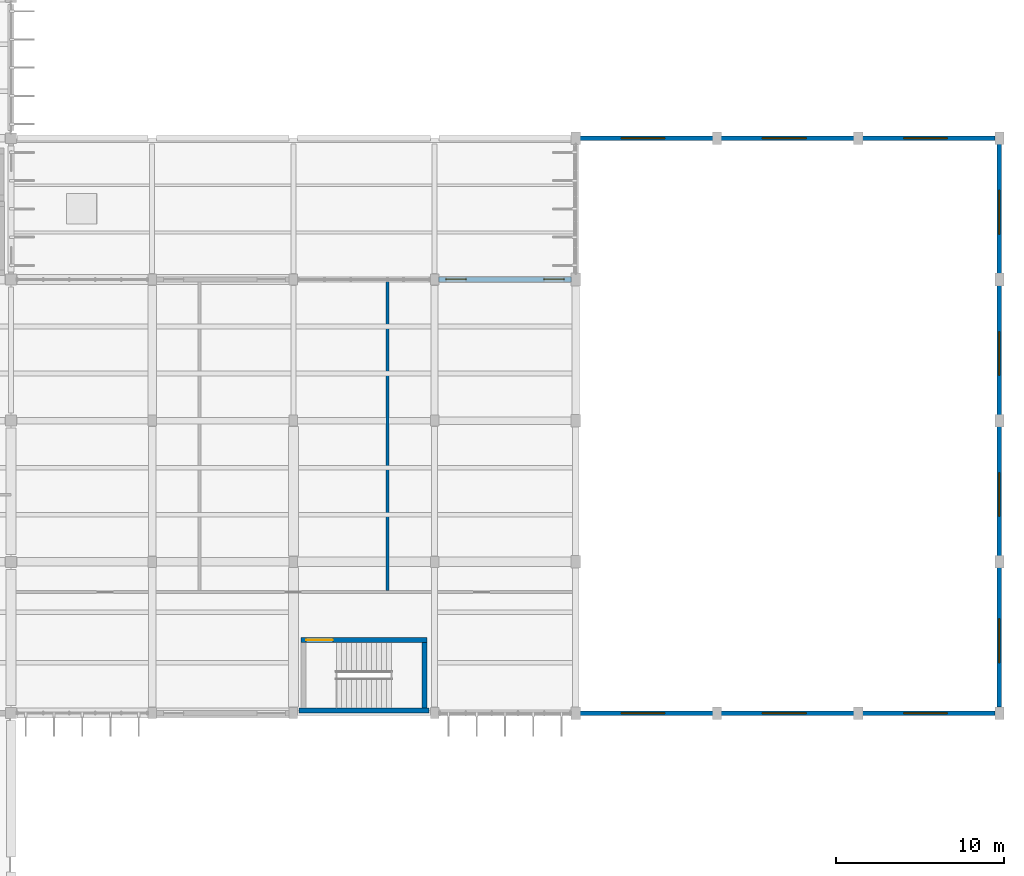
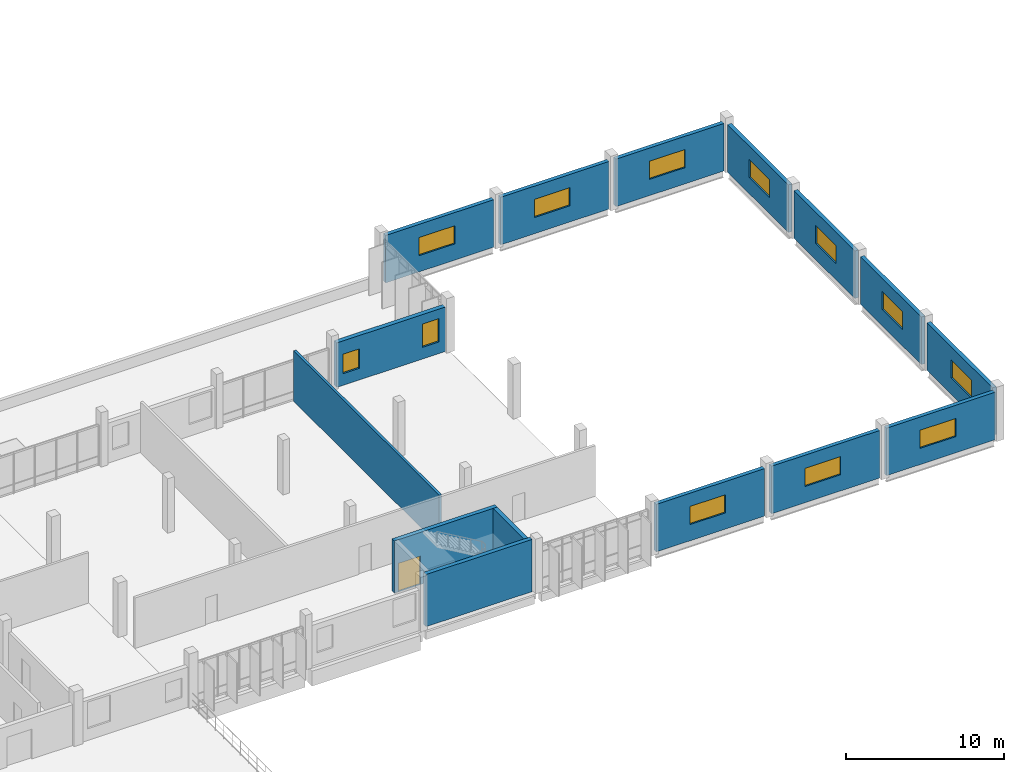
# One storey, part 91 of 101: 15 walls, 12 windows, 1 door, 13 openings.
"""IFC4 building model written with IfcOpenShell, lengths in metres."""

from ifc_helpers import new_model, si_unit, direction, frame, frame_2d, origin, place, context, subcontext, project, spatial, rectangle, extrude, material, layer, layer_set, type_object, element, fill, save


model = new_model("IFC4")

# Units and contexts
model_context = context("Model", 3, precision=1e-05, world=origin(), true_north=direction((0.0, 1.0)))
body_context = subcontext(model_context, "Body", "Model", "MODEL_VIEW")
ifc_project = project(units=[si_unit("LENGTHUNIT", "METRE"), si_unit("AREAUNIT", "SQUARE_METRE"), si_unit("VOLUMEUNIT", "CUBIC_METRE"), si_unit("PLANEANGLEUNIT", "RADIAN"), si_unit("MASSUNIT", "GRAM", prefix="KILO")], contexts=[model_context])

# Site, building, storey
site_placement = place(None, origin())
site = spatial("IfcSite", under=ifc_project, at=site_placement, CompositionType="ELEMENT")
building_placement = place(site_placement, origin())
building = spatial("IfcBuilding", under=site, at=building_placement, Name="Vireocrest Preparatory School", CompositionType="ELEMENT")
storey_placement = place(building_placement, frame((0.0, 0.0, 4.800048828125)))
storey = spatial("IfcBuildingStorey", under=building, at=storey_placement, Name="L01", CompositionType="ELEMENT", Elevation=4.800048828125)

# Wall, openings, windows
ifc_material_1 = material(Name="Precast white concrete 40 MPa", Category="concrete")
ifc_layer_1 = layer(ifc_material_1, 0.320068359375)
ifc_layer_set_1 = layer_set([ifc_layer_1], Name="Precast white concrete 40 MPa")
wall_type_1 = type_object("IfcWallType", Name="High-Tech Insulated Rainscreen External Wall 320", PredefinedType="SOLIDWALL", material=ifc_layer_set_1)
wall_1_placement = place(storey_placement, frame((134.625, 43.800048828125, 0.0), z_axis=(0.0, 0.0, 1.0), x_axis=(1.0, 0.0, 0.0)))
wall_1 = element("IfcWall", 1, at=wall_1_placement, inside=storey, type_object=wall_type_1, Name="External Wall W12 EW_L01_0155", PredefinedType="SOLIDWALL", context=body_context, shape_type="SweptSolid", body=[
    extrude(rectangle(XDim=7.925048828125, YDim=0.320068359375, at=frame_2d((3.96240234375, 0.0))), origin(), (0.0, 0.0, 1.0), 3.429931640625),
])
opening_1_placement = place(wall_1_placement, frame((0.449951171875, 0.0, 0.89990234375)))
opening_1 = element("IfcOpeningElement", 2, at=opening_1_placement, cuts=wall_1, Name="Opening WN01", PredefinedType="OPENING", context=body_context, shape_type="SweptSolid", body=[
    extrude(rectangle(XDim=1.199951171875, YDim=1.5, at=frame_2d((0.60009765625, 0.75))), frame((0.0, 0.169921875, 0.0), z_axis=(0.0, -1.0, 0.0), x_axis=(1.0, 0.0, 0.0)), (0.0, 0.0, 1.0), 0.340087890625),
])
opening_2_placement = place(wall_1_placement, frame((6.27490234375, 0.0, 0.89990234375)))
opening_2 = element("IfcOpeningElement", 3, at=opening_2_placement, cuts=wall_1, Name="Opening WN02", PredefinedType="OPENING", context=body_context, shape_type="SweptSolid", body=[
    extrude(rectangle(XDim=1.199951171875, YDim=1.800048828125, at=frame_2d((0.60009765625, 0.89990234375))), frame((0.0, 0.169921875, 0.0), z_axis=(0.0, -1.0, 0.0), x_axis=(1.0, 0.0, 0.0)), (0.0, 0.0, 1.0), 0.340087890625),
])
ifc_material_2 = material(Name="Thermally broken aluminium EN AW-6063-T6", Category="aluminium")
window_type_1 = type_object("IfcWindowType", Name="Counseling Window 1200x1800", PartitioningType="SINGLE_PANEL", PredefinedType="WINDOW", material=ifc_material_2)
window_1_placement = place(opening_2_placement, origin())
window_1 = element("IfcWindow", 4, at=window_1_placement, inside=storey, type_object=window_type_1, Name="Window W-L01-055 (WN02)", OverallHeight=1.800048828125, OverallWidth=1.199951171875, PartitioningType="SINGLE_PANEL", PredefinedType="WINDOW", context=body_context, shape_type="SweptSolid", body=[
    extrude(rectangle(XDim=1.199951171875, YDim=1.800048828125, at=frame_2d((0.60009765625, 0.89990234375))), frame((0.0, 0.030029296875, 0.0), z_axis=(0.0, -1.0, 0.0), x_axis=(1.0, 0.0, 0.0)), (0.0, 0.0, 1.0), 0.06005859375),
])
fill(opening_2, window_1)
window_type_2 = type_object("IfcWindowType", Name="Office Punched Window 1200x1500", PartitioningType="SINGLE_PANEL", PredefinedType="WINDOW", material=ifc_material_2)
window_2_placement = place(opening_1_placement, origin())
window_2 = element("IfcWindow", 5, at=window_2_placement, inside=storey, type_object=window_type_2, Name="Window W-L01-054 (WN01)", OverallHeight=1.5, OverallWidth=1.199951171875, PartitioningType="SINGLE_PANEL", PredefinedType="WINDOW", context=body_context, shape_type="SweptSolid", body=[
    extrude(rectangle(XDim=1.199951171875, YDim=1.5, at=frame_2d((0.60009765625, 0.75))), frame((0.0, 0.030029296875, 0.0), z_axis=(0.0, -1.0, 0.0), x_axis=(1.0, 0.0, 0.0)), (0.0, 0.0, 1.0), 0.06005859375),
])
fill(opening_1, window_2)

# Wall, opening, window
ifc_layer_2 = layer(ifc_material_1, 0.280029296875)
ifc_layer_set_2 = layer_set([ifc_layer_2], Name="Precast white concrete 40 MPa")
wall_type_2 = type_object("IfcWallType", Name="Insulated Hall Precast Cladding Wall 280", PredefinedType="SOLIDWALL", material=ifc_layer_set_2)
wall_2_placement = place(storey_placement, frame((143.050048828125, 18.0, 0.0), z_axis=(0.0, 0.0, 1.0), x_axis=(1.0, 0.0, 0.0)))
wall_2 = element("IfcWall", 6, at=wall_2_placement, inside=storey, type_object=wall_type_2, Name="External Wall W10 EW_L01_0141", PredefinedType="SOLIDWALL", context=body_context, shape_type="SweptSolid", body=[
    extrude(rectangle(XDim=7.89990234375, YDim=0.280029296875, at=frame_2d((3.949951171875, 0.0))), origin(), (0.0, 0.0, 1.0), 3.6669921875),
])
opening_3_placement = place(wall_2_placement, frame((2.449951171875, 0.0, 1.25)))
opening_3 = element("IfcOpeningElement", 7, at=opening_3_placement, cuts=wall_2, Name="Opening WN21", PredefinedType="OPENING", context=body_context, shape_type="SweptSolid", body=[
    extrude(rectangle(XDim=2.60009765625, YDim=1.39990234375, at=frame_2d((1.300048828125, 0.699951171875))), frame((0.0, 0.14990234375, 0.0), z_axis=(0.0, -1.0, 0.0), x_axis=(1.0, 0.0, 0.0)), (0.0, 0.0, 1.0), 0.300048828125),
])
window_type_3 = type_object("IfcWindowType", Name="Assembly Hall Clerestory Window 2600x1400", PartitioningType="DOUBLE_PANEL_VERTICAL", PredefinedType="WINDOW", material=ifc_material_2)
window_3_placement = place(opening_3_placement, origin())
window_3 = element("IfcWindow", 8, at=window_3_placement, inside=storey, type_object=window_type_3, Name="Window W-L01-042 (WN21)", OverallHeight=1.39990234375, OverallWidth=2.60009765625, PartitioningType="SINGLE_PANEL", PredefinedType="WINDOW", context=body_context, shape_type="SweptSolid", body=[
    extrude(rectangle(XDim=2.60009765625, YDim=1.39990234375, at=frame_2d((1.300048828125, 0.699951171875))), frame((0.0, 0.030029296875, 0.0), z_axis=(0.0, -1.0, 0.0), x_axis=(1.0, 0.0, 0.0)), (0.0, 0.0, 1.0), 0.06005859375),
])
fill(opening_3, window_3)

wall_3_placement = place(storey_placement, frame((151.449951171875, 18.0, 0.0), z_axis=(0.0, 0.0, 1.0), x_axis=(1.0, 0.0, 0.0)))
wall_3 = element("IfcWall", 9, at=wall_3_placement, inside=storey, type_object=wall_type_2, Name="External Wall W10 EW_L01_0142", PredefinedType="SOLIDWALL", context=body_context, shape_type="SweptSolid", body=[
    extrude(rectangle(XDim=7.900146484375, YDim=0.280029296875, at=frame_2d((3.9501953125, 0.0))), origin(), (0.0, 0.0, 1.0), 3.6669921875),
])
opening_4_placement = place(wall_3_placement, frame((2.449951171875, 0.0, 1.25)))
opening_4 = element("IfcOpeningElement", 10, at=opening_4_placement, cuts=wall_3, Name="Opening WN21", PredefinedType="OPENING", context=body_context, shape_type="SweptSolid", body=[
    extrude(rectangle(XDim=2.60009765625, YDim=1.39990234375, at=frame_2d((1.300048828125, 0.699951171875))), frame((0.0, 0.14990234375, 0.0), z_axis=(0.0, -1.0, 0.0), x_axis=(1.0, 0.0, 0.0)), (0.0, 0.0, 1.0), 0.300048828125),
])
window_4_placement = place(opening_4_placement, origin())
window_4 = element("IfcWindow", 11, at=window_4_placement, inside=storey, type_object=window_type_3, Name="Window W-L01-043 (WN21)", OverallHeight=1.39990234375, OverallWidth=2.60009765625, PartitioningType="SINGLE_PANEL", PredefinedType="WINDOW", context=body_context, shape_type="SweptSolid", body=[
    extrude(rectangle(XDim=2.60009765625, YDim=1.39990234375, at=frame_2d((1.300048828125, 0.699951171875))), frame((0.0, 0.030029296875, 0.0), z_axis=(0.0, -1.0, 0.0), x_axis=(1.0, 0.0, 0.0)), (0.0, 0.0, 1.0), 0.06005859375),
])
fill(opening_4, window_4)

wall_4_placement = place(storey_placement, frame((159.85009765625, 18.0, 0.0), z_axis=(0.0, 0.0, 1.0), x_axis=(1.0, 0.0, 0.0)))
wall_4 = element("IfcWall", 12, at=wall_4_placement, inside=storey, type_object=wall_type_2, Name="External Wall W10 EW_L01_0143", PredefinedType="SOLIDWALL", context=body_context, shape_type="SweptSolid", body=[
    extrude(rectangle(XDim=7.89990234375, YDim=0.280029296875, at=frame_2d((3.949951171875, 0.0))), origin(), (0.0, 0.0, 1.0), 3.6669921875),
])
opening_5_placement = place(wall_4_placement, frame((2.449951171875, 0.0, 1.25)))
opening_5 = element("IfcOpeningElement", 13, at=opening_5_placement, cuts=wall_4, Name="Opening WN21", PredefinedType="OPENING", context=body_context, shape_type="SweptSolid", body=[
    extrude(rectangle(XDim=2.60009765625, YDim=1.39990234375, at=frame_2d((1.300048828125, 0.699951171875))), frame((0.0, 0.14990234375, 0.0), z_axis=(0.0, -1.0, 0.0), x_axis=(1.0, 0.0, 0.0)), (0.0, 0.0, 1.0), 0.300048828125),
])
window_5_placement = place(opening_5_placement, origin())
window_5 = element("IfcWindow", 14, at=window_5_placement, inside=storey, type_object=window_type_3, Name="Window W-L01-044 (WN21)", OverallHeight=1.39990234375, OverallWidth=2.60009765625, PartitioningType="SINGLE_PANEL", PredefinedType="WINDOW", context=body_context, shape_type="SweptSolid", body=[
    extrude(rectangle(XDim=2.60009765625, YDim=1.39990234375, at=frame_2d((1.300048828125, 0.699951171875))), frame((0.0, 0.030029296875, 0.0), z_axis=(0.0, -1.0, 0.0), x_axis=(1.0, 0.0, 0.0)), (0.0, 0.0, 1.0), 0.06005859375),
])
fill(opening_5, window_5)

wall_5_placement = place(storey_placement, frame((168.0, 18.35009765625, 0.0), z_axis=(0.0, 0.0, 1.0), x_axis=(0.0, 1.0, 0.0)))
wall_5 = element("IfcWall", 15, at=wall_5_placement, inside=storey, type_object=wall_type_2, Name="External Wall W10 EW_L01_0144", PredefinedType="SOLIDWALL", context=body_context, shape_type="SweptSolid", body=[
    extrude(rectangle(XDim=8.2998046875, YDim=0.280029296875, at=frame_2d((4.14990234375, 0.0))), origin(), (0.0, 0.0, 1.0), 3.6669921875),
])
opening_6_placement = place(wall_5_placement, frame((2.64990234375, 0.0, 1.25)))
opening_6 = element("IfcOpeningElement", 16, at=opening_6_placement, cuts=wall_5, Name="Opening WN21", PredefinedType="OPENING", context=body_context, shape_type="SweptSolid", body=[
    extrude(rectangle(XDim=2.60009765625, YDim=1.39990234375, at=frame_2d((1.300048828125, 0.699951171875))), frame((0.0, 0.14990234375, 0.0), z_axis=(0.0, -1.0, 0.0), x_axis=(1.0, 0.0, 0.0)), (0.0, 0.0, 1.0), 0.300048828125),
])
window_6_placement = place(opening_6_placement, origin())
window_6 = element("IfcWindow", 17, at=window_6_placement, inside=storey, type_object=window_type_3, Name="Window W-L01-045 (WN21)", OverallHeight=1.39990234375, OverallWidth=2.60009765625, PartitioningType="SINGLE_PANEL", PredefinedType="WINDOW", context=body_context, shape_type="SweptSolid", body=[
    extrude(rectangle(XDim=2.60009765625, YDim=1.39990234375, at=frame_2d((1.300048828125, 0.699951171875))), frame((0.0, 0.030029296875, 0.0), z_axis=(0.0, -1.0, 0.0), x_axis=(1.0, 0.0, 0.0)), (0.0, 0.0, 1.0), 0.06005859375),
])
fill(opening_6, window_6)

wall_6_placement = place(storey_placement, frame((168.0, 27.35009765625, 0.0), z_axis=(0.0, 0.0, 1.0), x_axis=(0.0, 1.0, 0.0)))
wall_6 = element("IfcWall", 18, at=wall_6_placement, inside=storey, type_object=wall_type_2, Name="External Wall W10 EW_L01_0145", PredefinedType="SOLIDWALL", context=body_context, shape_type="SweptSolid", body=[
    extrude(rectangle(XDim=7.699951171875, YDim=0.280029296875, at=frame_2d((3.85009765625, 0.0))), origin(), (0.0, 0.0, 1.0), 3.6669921875),
])
opening_7_placement = place(wall_6_placement, frame((2.35009765625, 0.0, 1.25)))
opening_7 = element("IfcOpeningElement", 19, at=opening_7_placement, cuts=wall_6, Name="Opening WN21", PredefinedType="OPENING", context=body_context, shape_type="SweptSolid", body=[
    extrude(rectangle(XDim=2.60009765625, YDim=1.39990234375, at=frame_2d((1.300048828125, 0.699951171875))), frame((0.0, 0.14990234375, 0.0), z_axis=(0.0, -1.0, 0.0), x_axis=(1.0, 0.0, 0.0)), (0.0, 0.0, 1.0), 0.300048828125),
])
window_7_placement = place(opening_7_placement, origin())
window_7 = element("IfcWindow", 20, at=window_7_placement, inside=storey, type_object=window_type_3, Name="Window W-L01-046 (WN21)", OverallHeight=1.39990234375, OverallWidth=2.60009765625, PartitioningType="SINGLE_PANEL", PredefinedType="WINDOW", context=body_context, shape_type="SweptSolid", body=[
    extrude(rectangle(XDim=2.60009765625, YDim=1.39990234375, at=frame_2d((1.300048828125, 0.699951171875))), frame((0.0, 0.030029296875, 0.0), z_axis=(0.0, -1.0, 0.0), x_axis=(1.0, 0.0, 0.0)), (0.0, 0.0, 1.0), 0.06005859375),
])
fill(opening_7, window_7)

wall_7_placement = place(storey_placement, frame((168.0, 35.75, 0.0), z_axis=(0.0, 0.0, 1.0), x_axis=(0.0, 1.0, 0.0)))
wall_7 = element("IfcWall", 21, at=wall_7_placement, inside=storey, type_object=wall_type_2, Name="External Wall W10 EW_L01_0146", PredefinedType="SOLIDWALL", context=body_context, shape_type="SweptSolid", body=[
    extrude(rectangle(XDim=7.699951171875, YDim=0.280029296875, at=frame_2d((3.85009765625, 0.0))), origin(), (0.0, 0.0, 1.0), 3.6669921875),
])
opening_8_placement = place(wall_7_placement, frame((2.35009765625, 0.0, 1.25)))
opening_8 = element("IfcOpeningElement", 22, at=opening_8_placement, cuts=wall_7, Name="Opening WN21", PredefinedType="OPENING", context=body_context, shape_type="SweptSolid", body=[
    extrude(rectangle(XDim=2.60009765625, YDim=1.39990234375, at=frame_2d((1.300048828125, 0.699951171875))), frame((0.0, 0.14990234375, 0.0), z_axis=(0.0, -1.0, 0.0), x_axis=(1.0, 0.0, 0.0)), (0.0, 0.0, 1.0), 0.300048828125),
])
window_8_placement = place(opening_8_placement, origin())
window_8 = element("IfcWindow", 23, at=window_8_placement, inside=storey, type_object=window_type_3, Name="Window W-L01-047 (WN21)", OverallHeight=1.39990234375, OverallWidth=2.60009765625, PartitioningType="SINGLE_PANEL", PredefinedType="WINDOW", context=body_context, shape_type="SweptSolid", body=[
    extrude(rectangle(XDim=2.60009765625, YDim=1.39990234375, at=frame_2d((1.300048828125, 0.699951171875))), frame((0.0, 0.030029296875, 0.0), z_axis=(0.0, -1.0, 0.0), x_axis=(1.0, 0.0, 0.0)), (0.0, 0.0, 1.0), 0.06005859375),
])
fill(opening_8, window_8)

wall_8_placement = place(storey_placement, frame((168.0, 44.14990234375, 0.0), z_axis=(0.0, 0.0, 1.0), x_axis=(0.0, 1.0, 0.0)))
wall_8 = element("IfcWall", 24, at=wall_8_placement, inside=storey, type_object=wall_type_2, Name="External Wall W10 EW_L01_0147", PredefinedType="SOLIDWALL", context=body_context, shape_type="SweptSolid", body=[
    extrude(rectangle(XDim=7.7001953125, YDim=0.280029296875, at=frame_2d((3.85009765625, 0.0))), origin(), (0.0, 0.0, 1.0), 3.6669921875),
])
opening_9_placement = place(wall_8_placement, frame((2.35009765625, 0.0, 1.25)))
opening_9 = element("IfcOpeningElement", 25, at=opening_9_placement, cuts=wall_8, Name="Opening WN21", PredefinedType="OPENING", context=body_context, shape_type="SweptSolid", body=[
    extrude(rectangle(XDim=2.60009765625, YDim=1.39990234375, at=frame_2d((1.300048828125, 0.699951171875))), frame((0.0, 0.14990234375, 0.0), z_axis=(0.0, -1.0, 0.0), x_axis=(1.0, 0.0, 0.0)), (0.0, 0.0, 1.0), 0.300048828125),
])
window_9_placement = place(opening_9_placement, origin())
window_9 = element("IfcWindow", 26, at=window_9_placement, inside=storey, type_object=window_type_3, Name="Window W-L01-048 (WN21)", OverallHeight=1.39990234375, OverallWidth=2.60009765625, PartitioningType="SINGLE_PANEL", PredefinedType="WINDOW", context=body_context, shape_type="SweptSolid", body=[
    extrude(rectangle(XDim=2.60009765625, YDim=1.39990234375, at=frame_2d((1.300048828125, 0.699951171875))), frame((0.0, 0.030029296875, 0.0), z_axis=(0.0, -1.0, 0.0), x_axis=(1.0, 0.0, 0.0)), (0.0, 0.0, 1.0), 0.06005859375),
])
fill(opening_9, window_9)

wall_9_placement = place(storey_placement, frame((143.050048828125, 52.199951171875, 0.0), z_axis=(0.0, 0.0, 1.0), x_axis=(1.0, 0.0, 0.0)))
wall_9 = element("IfcWall", 27, at=wall_9_placement, inside=storey, type_object=wall_type_2, Name="External Wall W10 EW_L01_0148", PredefinedType="SOLIDWALL", context=body_context, shape_type="SweptSolid", body=[
    extrude(rectangle(XDim=7.89990234375, YDim=0.280029296875, at=frame_2d((3.949951171875, 0.0))), origin(), (0.0, 0.0, 1.0), 3.6669921875),
])
opening_10_placement = place(wall_9_placement, frame((2.449951171875, 0.0, 1.25)))
opening_10 = element("IfcOpeningElement", 28, at=opening_10_placement, cuts=wall_9, Name="Opening WN21", PredefinedType="OPENING", context=body_context, shape_type="SweptSolid", body=[
    extrude(rectangle(XDim=2.60009765625, YDim=1.39990234375, at=frame_2d((1.300048828125, 0.699951171875))), frame((0.0, 0.14990234375, 0.0), z_axis=(0.0, -1.0, 0.0), x_axis=(1.0, 0.0, 0.0)), (0.0, 0.0, 1.0), 0.300048828125),
])
window_10_placement = place(opening_10_placement, origin())
window_10 = element("IfcWindow", 29, at=window_10_placement, inside=storey, type_object=window_type_3, Name="Window W-L01-049 (WN21)", OverallHeight=1.39990234375, OverallWidth=2.60009765625, PartitioningType="SINGLE_PANEL", PredefinedType="WINDOW", context=body_context, shape_type="SweptSolid", body=[
    extrude(rectangle(XDim=2.60009765625, YDim=1.39990234375, at=frame_2d((1.300048828125, 0.699951171875))), frame((0.0, 0.030029296875, 0.0), z_axis=(0.0, -1.0, 0.0), x_axis=(1.0, 0.0, 0.0)), (0.0, 0.0, 1.0), 0.06005859375),
])
fill(opening_10, window_10)

wall_10_placement = place(storey_placement, frame((151.449951171875, 52.199951171875, 0.0), z_axis=(0.0, 0.0, 1.0), x_axis=(1.0, 0.0, 0.0)))
wall_10 = element("IfcWall", 30, at=wall_10_placement, inside=storey, type_object=wall_type_2, Name="External Wall W10 EW_L01_0149", PredefinedType="SOLIDWALL", context=body_context, shape_type="SweptSolid", body=[
    extrude(rectangle(XDim=7.900146484375, YDim=0.280029296875, at=frame_2d((3.9501953125, 0.0))), origin(), (0.0, 0.0, 1.0), 3.6669921875),
])
opening_11_placement = place(wall_10_placement, frame((2.449951171875, 0.0, 1.25)))
opening_11 = element("IfcOpeningElement", 31, at=opening_11_placement, cuts=wall_10, Name="Opening WN21", PredefinedType="OPENING", context=body_context, shape_type="SweptSolid", body=[
    extrude(rectangle(XDim=2.60009765625, YDim=1.39990234375, at=frame_2d((1.300048828125, 0.699951171875))), frame((0.0, 0.14990234375, 0.0), z_axis=(0.0, -1.0, 0.0), x_axis=(1.0, 0.0, 0.0)), (0.0, 0.0, 1.0), 0.300048828125),
])
window_11_placement = place(opening_11_placement, origin())
window_11 = element("IfcWindow", 32, at=window_11_placement, inside=storey, type_object=window_type_3, Name="Window W-L01-050 (WN21)", OverallHeight=1.39990234375, OverallWidth=2.60009765625, PartitioningType="SINGLE_PANEL", PredefinedType="WINDOW", context=body_context, shape_type="SweptSolid", body=[
    extrude(rectangle(XDim=2.60009765625, YDim=1.39990234375, at=frame_2d((1.300048828125, 0.699951171875))), frame((0.0, 0.030029296875, 0.0), z_axis=(0.0, -1.0, 0.0), x_axis=(1.0, 0.0, 0.0)), (0.0, 0.0, 1.0), 0.06005859375),
])
fill(opening_11, window_11)

wall_11_placement = place(storey_placement, frame((159.85009765625, 52.199951171875, 0.0), z_axis=(0.0, 0.0, 1.0), x_axis=(1.0, 0.0, 0.0)))
wall_11 = element("IfcWall", 33, at=wall_11_placement, inside=storey, type_object=wall_type_2, Name="External Wall W10 EW_L01_0150", PredefinedType="SOLIDWALL", context=body_context, shape_type="SweptSolid", body=[
    extrude(rectangle(XDim=7.89990234375, YDim=0.280029296875, at=frame_2d((3.949951171875, 0.0))), origin(), (0.0, 0.0, 1.0), 3.6669921875),
])
opening_12_placement = place(wall_11_placement, frame((2.449951171875, 0.0, 1.25)))
opening_12 = element("IfcOpeningElement", 34, at=opening_12_placement, cuts=wall_11, Name="Opening WN21", PredefinedType="OPENING", context=body_context, shape_type="SweptSolid", body=[
    extrude(rectangle(XDim=2.60009765625, YDim=1.39990234375, at=frame_2d((1.300048828125, 0.699951171875))), frame((0.0, 0.14990234375, 0.0), z_axis=(0.0, -1.0, 0.0), x_axis=(1.0, 0.0, 0.0)), (0.0, 0.0, 1.0), 0.300048828125),
])
window_12_placement = place(opening_12_placement, origin())
window_12 = element("IfcWindow", 35, at=window_12_placement, inside=storey, type_object=window_type_3, Name="Window W-L01-051 (WN21)", OverallHeight=1.39990234375, OverallWidth=2.60009765625, PartitioningType="SINGLE_PANEL", PredefinedType="WINDOW", context=body_context, shape_type="SweptSolid", body=[
    extrude(rectangle(XDim=2.60009765625, YDim=1.39990234375, at=frame_2d((1.300048828125, 0.699951171875))), frame((0.0, 0.030029296875, 0.0), z_axis=(0.0, -1.0, 0.0), x_axis=(1.0, 0.0, 0.0)), (0.0, 0.0, 1.0), 0.06005859375),
])
fill(opening_12, window_12)

# Walls
ifc_material_3 = material(Name="Gypsum board on cold-formed steel studs", Category="steel")
ifc_layer_3 = layer(ifc_material_3, 0.179931640625)
ifc_layer_set_3 = layer_set([ifc_layer_3], Name="Gypsum board on cold-formed steel studs")
wall_type_3 = type_object("IfcWallType", Name="Music and Drama Double-Stud Partition 180", PredefinedType="PARTITIONING", material=ifc_layer_set_3)
wall_12_placement = place(storey_placement, frame((131.60009765625, 25.294921875, 0.0), z_axis=(0.0, 0.0, 1.0), x_axis=(0.0, 1.0, 0.0)))
element("IfcWall", 36, at=wall_12_placement, inside=storey, type_object=wall_type_3, Name="Interior Partition W05 IW_L01_0186", PredefinedType="PARTITIONING", context=body_context, shape_type="SweptSolid", body=[
    extrude(rectangle(XDim=18.400146484375, YDim=0.179931640625, at=frame_2d((9.2001953125, 0.0))), origin(), (0.0, 0.0, 1.0), 3.89990234375),
])
ifc_material_4 = material(Name="Concrete 45 MPa", Category="concrete")
ifc_layer_4 = layer(ifc_material_4, 0.300048828125)
ifc_layer_set_4 = layer_set([ifc_layer_4], Name="Concrete 45 MPa")
wall_type_4 = type_object("IfcWallType", Name="Two-Hour RC Stair Shaft Shear Wall 300", PredefinedType="SHEAR", material=ifc_layer_set_4)
wall_13_placement = place(storey_placement, frame((126.324951171875, 18.14990234375, 0.0), z_axis=(0.0, 0.0, 1.0), x_axis=(1.0, 0.0, 0.0)))
element("IfcWall", 37, at=wall_13_placement, inside=storey, type_object=wall_type_4, Name="Stair Core Shear Wall ST6 L01-S", PredefinedType="SHEAR", context=body_context, shape_type="SweptSolid", body=[
    extrude(rectangle(XDim=7.75, YDim=0.300048828125, at=frame_2d((3.875, 0.0))), origin(), (0.0, 0.0, 1.0), 4.02490234375),
])

# Wall, opening, door
wall_14_placement = place(storey_placement, frame((126.449951171875, 22.35009765625, 0.0), z_axis=(0.0, 0.0, 1.0), x_axis=(1.0, 0.0, 0.0)))
wall_14 = element("IfcWall", 38, at=wall_14_placement, inside=storey, type_object=wall_type_4, Name="Stair Core Shear Wall ST6 L01-N", PredefinedType="SHEAR", context=body_context, shape_type="SweptSolid", body=[
    extrude(rectangle(XDim=7.5, YDim=0.300048828125, at=frame_2d((3.75, 0.0))), origin(), (0.0, 0.0, 1.0), 4.02490234375),
])
opening_13_placement = place(wall_14_placement, frame((0.300048828125, 0.0, 0.0)))
opening_13 = element("IfcOpeningElement", 39, at=opening_13_placement, cuts=wall_14, Name="Opening SD-ST6-L01", PredefinedType="OPENING", context=body_context, shape_type="SweptSolid", body=[
    extrude(rectangle(XDim=1.60009765625, YDim=2.199951171875, at=frame_2d((0.800048828125, 1.10009765625))), frame((0.0, 0.159912109375, 0.0), z_axis=(0.0, -1.0, 0.0), x_axis=(1.0, 0.0, 0.0)), (0.0, 0.0, 1.0), 0.320068359375),
])
ifc_material_5 = material(Name="Painted galvanized hollow steel", Category="steel")
door_type = type_object("IfcDoorType", Name="Stair Core Lobby Fire Door 1600x2200", OperationType="DOUBLE_DOOR_SINGLE_SWING", PredefinedType="DOOR", material=ifc_material_5)
door_placement = place(opening_13_placement, origin())
door = element("IfcDoor", 40, at=door_placement, inside=storey, type_object=door_type, Name="Stair Enclosure Fire Door SD-ST6-L01", OperationType="DOUBLE_DOOR_SINGLE_SWING", OverallHeight=2.199951171875, OverallWidth=1.60009765625, PredefinedType="DOOR", context=body_context, shape_type="SweptSolid", body=[
    extrude(rectangle(XDim=1.60009765625, YDim=2.199951171875, at=frame_2d((0.800048828125, 1.10009765625))), frame((0.0, 0.02490234375, 0.0), z_axis=(0.0, -1.0, 0.0), x_axis=(1.0, 0.0, 0.0)), (0.0, 0.0, 1.0), 0.050048828125),
])
fill(opening_13, door)

# Wall
wall_15_placement = place(storey_placement, frame((133.800048828125, 18.300048828125, 0.0), z_axis=(0.0, 0.0, 1.0), x_axis=(0.0, 1.0, 0.0)))
element("IfcWall", 41, at=wall_15_placement, inside=storey, type_object=wall_type_4, Name="Stair Core Shear Wall ST6 L01-E", PredefinedType="SHEAR", context=body_context, shape_type="SweptSolid", body=[
    extrude(rectangle(XDim=3.89990234375, YDim=0.300048828125, at=frame_2d((1.949951171875, 0.0))), origin(), (0.0, 0.0, 1.0), 4.02490234375),
])

save(model, "model.ifc")
